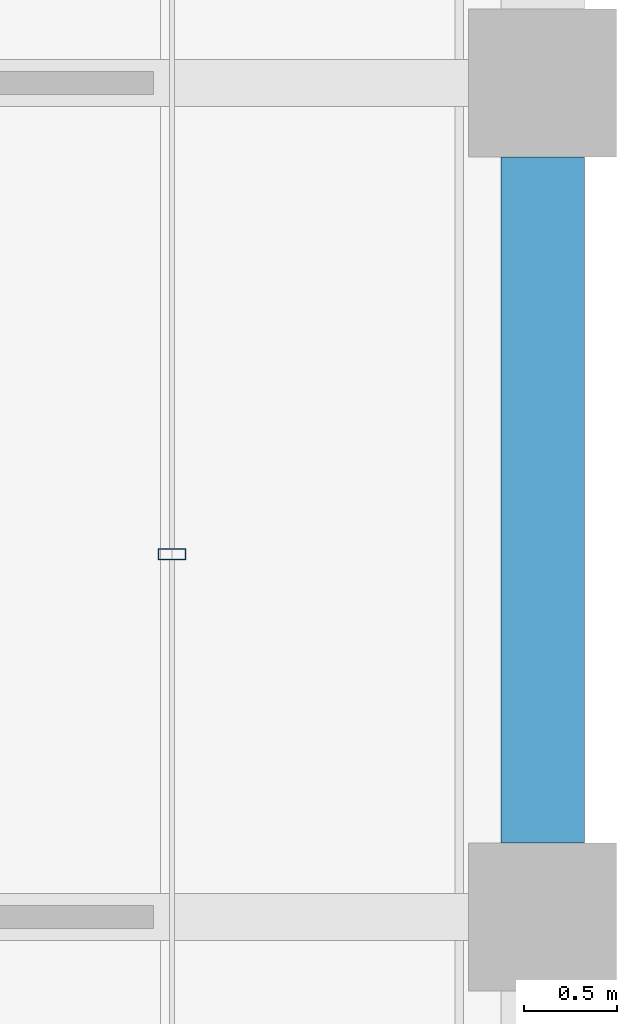
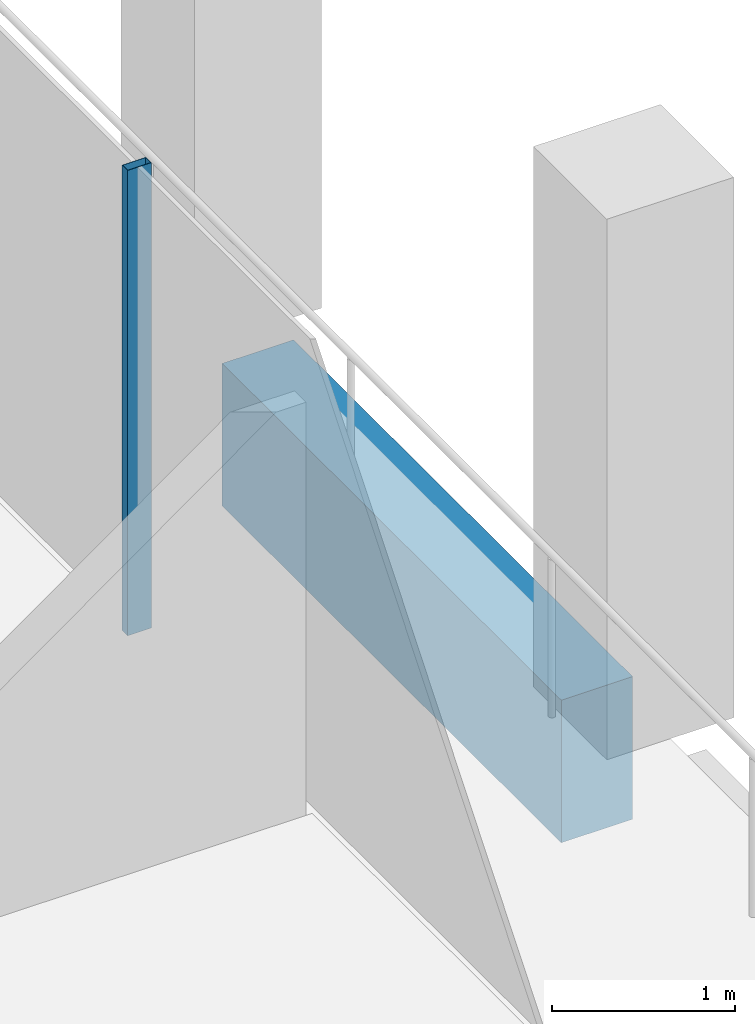
# One storey, part 17 of 30: 1 beam, 1 member, 1 element without a shape of its own.
"""IFC4 building model written with IfcOpenShell, lengths in metres."""

from ifc_helpers import new_model, si_unit, direction, frame, origin, origin_2d, place, context, subcontext, project, spatial, rectangle, hollow_rectangle, extrude, material, material_profile, profile_set, type_object, element, aggregate, save


model = new_model("IFC4")

# Units and contexts
model_context = context("Model", 3, precision=1e-05, world=origin(), true_north=direction((0.0, 1.0)))
body_context = subcontext(model_context, "Body", "Model", "MODEL_VIEW")
ifc_project = project(units=[si_unit("LENGTHUNIT", "METRE"), si_unit("AREAUNIT", "SQUARE_METRE"), si_unit("VOLUMEUNIT", "CUBIC_METRE"), si_unit("PLANEANGLEUNIT", "RADIAN"), si_unit("MASSUNIT", "GRAM", prefix="KILO")], contexts=[model_context])

# Site, building, storey
site_placement = place(None, origin())
site = spatial("IfcSite", under=ifc_project, at=site_placement, CompositionType="ELEMENT")
building_placement = place(site_placement, origin())
building = spatial("IfcBuilding", under=site, at=building_placement, Name="Altepetl Exchange Towers", CompositionType="ELEMENT")
storey_placement = place(building_placement, frame((0.0, 0.0, 213.60009765625)))
storey = spatial("IfcBuildingStorey", under=building, at=storey_placement, Name="L54", CompositionType="ELEMENT", Elevation=213.60009765625)

# Curtain wall, member
ifc_material_1 = material(Name="Aluminium 6063-T6 glazing", Category="aluminium")
curtain_wall_type = type_object("IfcCurtainWallType", Name="Loggia glazing system", PredefinedType="NOTDEFINED", material=ifc_material_1)
curtain_wall_placement = place(storey_placement, origin())
curtain_wall = element("IfcCurtainWall", 1, at=curtain_wall_placement, inside=storey, type_object=curtain_wall_type, Name="CW1 run", PredefinedType="NOTDEFINED")
ifc_material_2 = material(Name="Aluminium 6063-T6", Category="aluminium")
ifc_material_profile_1 = material_profile(ifc_material_2, hollow_rectangle(XDim=0.06005859375, YDim=0.14990234375, WallThickness=0.0029296875, at=origin_2d()), Name="Mullion 60x150 aluminium")
ifc_profile_set_1 = profile_set([ifc_material_profile_1], Name="Aluminium 6063-T6")
member_type = type_object("IfcMemberType", Name="Mullion 60x150 aluminium", PredefinedType="MULLION", material=ifc_profile_set_1)
member_placement = place(storey_placement, frame((70.0, 46.9580078125, 0.0), z_axis=(0.0, 0.0, 1.0), x_axis=(0.0, 1.0, 0.0)))
member = element("IfcMember", 2, at=member_placement, type_object=member_type, Name="MU1 mullion", PredefinedType="MULLION", context=body_context, shape_type="SweptSolid", body=[
    extrude(hollow_rectangle(XDim=0.06005859375, YDim=0.14990234375, WallThickness=0.0029296875, at=origin_2d()), origin(), (0.0, 0.0, 1.0), 3.099853515625),
])
aggregate(curtain_wall, [member])

# Beam
ifc_material_3 = material(Name="Concrete C50/60 precast with cantera amarilla facing", Category="concrete")
ifc_material_profile_2 = material_profile(ifc_material_3, rectangle(XDim=0.449951171875, YDim=0.949951171875, at=origin_2d()), Name="450 x 950")
ifc_profile_set_2 = profile_set([ifc_material_profile_2], Name="Concrete C50/60 precast with cantera amarilla facing")
beam_type = type_object("IfcBeamType", Name="Spandrel beam 450x950 cantera amarilla", PredefinedType="SPANDREL", material=ifc_profile_set_2)
beam_placement = place(storey_placement, frame((72.0, 45.39990234375, -0.625), z_axis=(0.0, 1.0, 0.0), x_axis=(-1.0, 0.0, 0.0)))
element("IfcBeam", 3, at=beam_placement, inside=storey, type_object=beam_type, Name="sp:A:L54:015", PredefinedType="SPANDREL", context=body_context, shape_type="SweptSolid", body=[
    extrude(rectangle(XDim=0.449951171875, YDim=0.949951171875, at=origin_2d()), origin(), (0.0, 0.0, 1.0), 3.7001953125),
])

save(model, "model.ifc")
